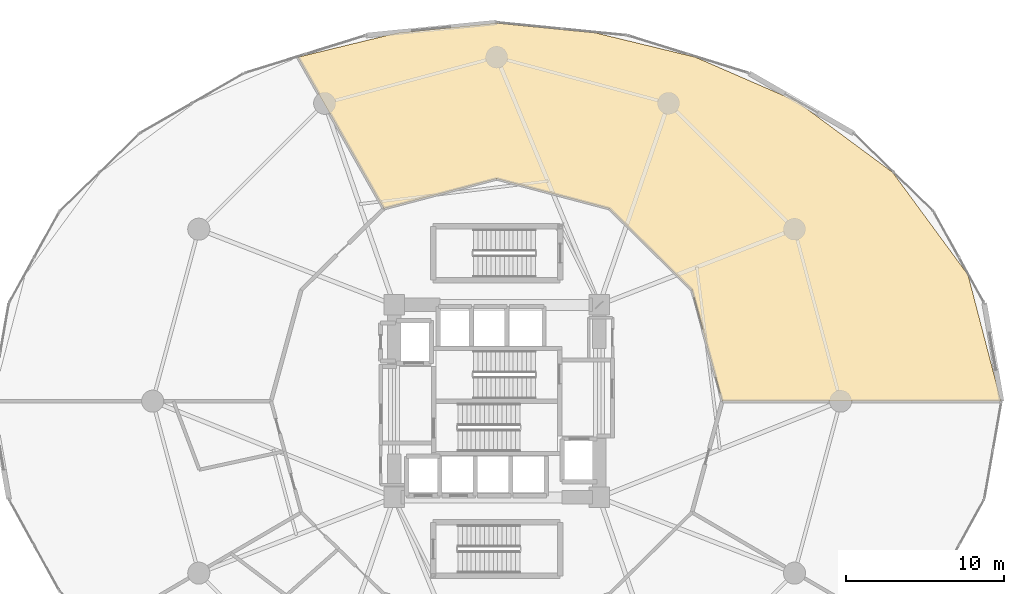
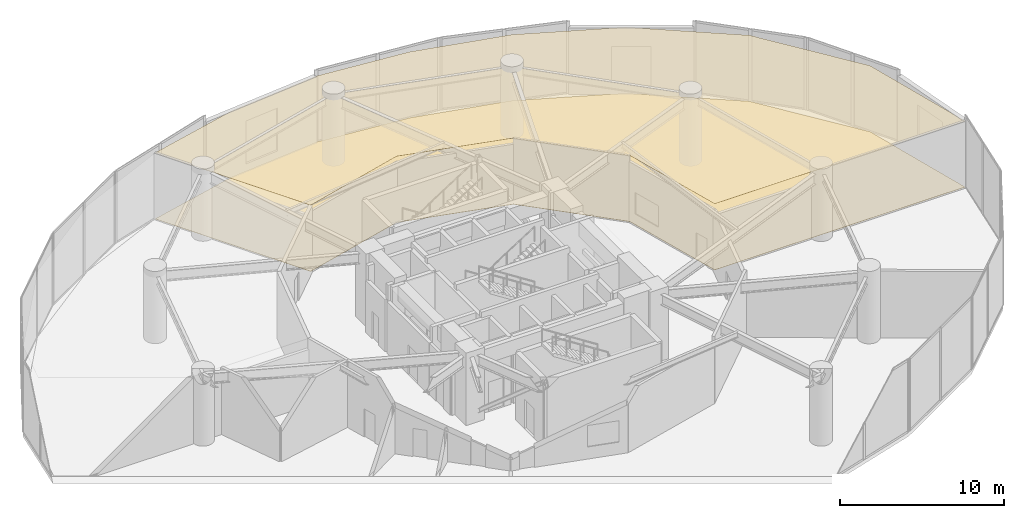
# One storey, part 29 of 29: 2 coverings.
"""IFC4 building model written with IfcOpenShell, lengths in metres."""

from ifc_helpers import new_model, si_unit, direction, frame, origin, place, context, subcontext, project, spatial, polyline, outline, extrude, material, layer, layer_set, type_object, element, save


model = new_model("IFC4")

# Units and contexts
model_context = context("Model", 3, precision=1e-05, world=origin(), true_north=direction((0.0, 1.0)))
body_context = subcontext(model_context, "Body", "Model", "MODEL_VIEW")
ifc_project = project(units=[si_unit("LENGTHUNIT", "METRE"), si_unit("AREAUNIT", "SQUARE_METRE"), si_unit("VOLUMEUNIT", "CUBIC_METRE"), si_unit("PLANEANGLEUNIT", "RADIAN"), si_unit("MASSUNIT", "GRAM", prefix="KILO")], contexts=[model_context])

# Site, building, storey
site_placement = place(None, origin())
site = spatial("IfcSite", under=ifc_project, at=site_placement, CompositionType="ELEMENT")
building_placement = place(site_placement, origin())
building = spatial("IfcBuilding", under=site, at=building_placement, Name="Solvirekh Grand Hotel", CompositionType="ELEMENT")
storey_placement = place(building_placement, frame((0.0, 0.0, 7.199951171875)))
storey = spatial("IfcBuildingStorey", under=building, at=storey_placement, Name="L01", CompositionType="ELEMENT", Elevation=7.199951171875)

# Coverings
ifc_material_1 = material(Name="Acoustic Mineral Ceiling Tile")
ifc_layer_1 = layer(ifc_material_1, 0.02490234375)
ifc_layer_set_1 = layer_set([ifc_layer_1], Name="Acoustic Mineral Ceiling Tile")
covering_type_1 = type_object("IfcCoveringType", Name="Cov_Ceiling_Acoustic", PredefinedType="CEILING", material=ifc_layer_set_1)
covering_1_placement = place(storey_placement, frame((0.0, 0.0, 4.929931640625)))
element("IfcCovering", 1, at=covering_1_placement, inside=storey, type_object=covering_type_1, Name="L01 All-Day Brasserie Restaurant acoustic ceiling", PredefinedType="CEILING", context=body_context, shape_type="SweptSolid", body=[
    extrude(outline(polyline([(31.9599609375, 0.0), (29.875, 8.0048828125), (25.10595703125, 14.4951171875), (19.009033203125, 19.009033203125), (12.587890625, 21.803955078125), (6.2548828125, 23.343017578125), (0.0, 23.9599609375), (-6.2548828125, 23.343017578125), (-12.587890625, 21.803955078125), (-7.14990234375, 12.2109375), (0.0, 14.10009765625), (7.14990234375, 12.2109375), (12.384033203125, 7.050048828125), (14.300048828125, 0.0), (31.9599609375, 0.0)])), origin(), (0.0, 0.0, 1.0), 0.01806640625),
])
ifc_material_2 = material(Name="Porcelain Stoneware Flooring", Category="masonry")
ifc_layer_2 = layer(ifc_material_2, 0.030029296875)
ifc_layer_set_2 = layer_set([ifc_layer_2], Name="Porcelain Stoneware Flooring")
covering_type_2 = type_object("IfcCoveringType", Name="Cov_Floor_Stone", PredefinedType="FLOORING", material=ifc_layer_set_2)
covering_2_placement = place(storey_placement, origin())
element("IfcCovering", 2, at=covering_2_placement, inside=storey, type_object=covering_type_2, Name="L01 All-Day Brasserie Restaurant polished granite flooring", PredefinedType="FLOORING", context=body_context, shape_type="SweptSolid", body=[
    extrude(outline(polyline([(31.9599609375, 0.0), (29.875, 8.0048828125), (25.10595703125, 14.4951171875), (19.009033203125, 19.009033203125), (12.587890625, 21.803955078125), (6.2548828125, 23.343017578125), (0.0, 23.9599609375), (-6.2548828125, 23.343017578125), (-12.587890625, 21.803955078125), (-7.14990234375, 12.2109375), (0.0, 14.10009765625), (7.14990234375, 12.2109375), (12.384033203125, 7.050048828125), (14.300048828125, 0.0), (31.9599609375, 0.0)])), origin(), (0.0, 0.0, 1.0), 0.02001953125),
])

save(model, "model.ifc")
